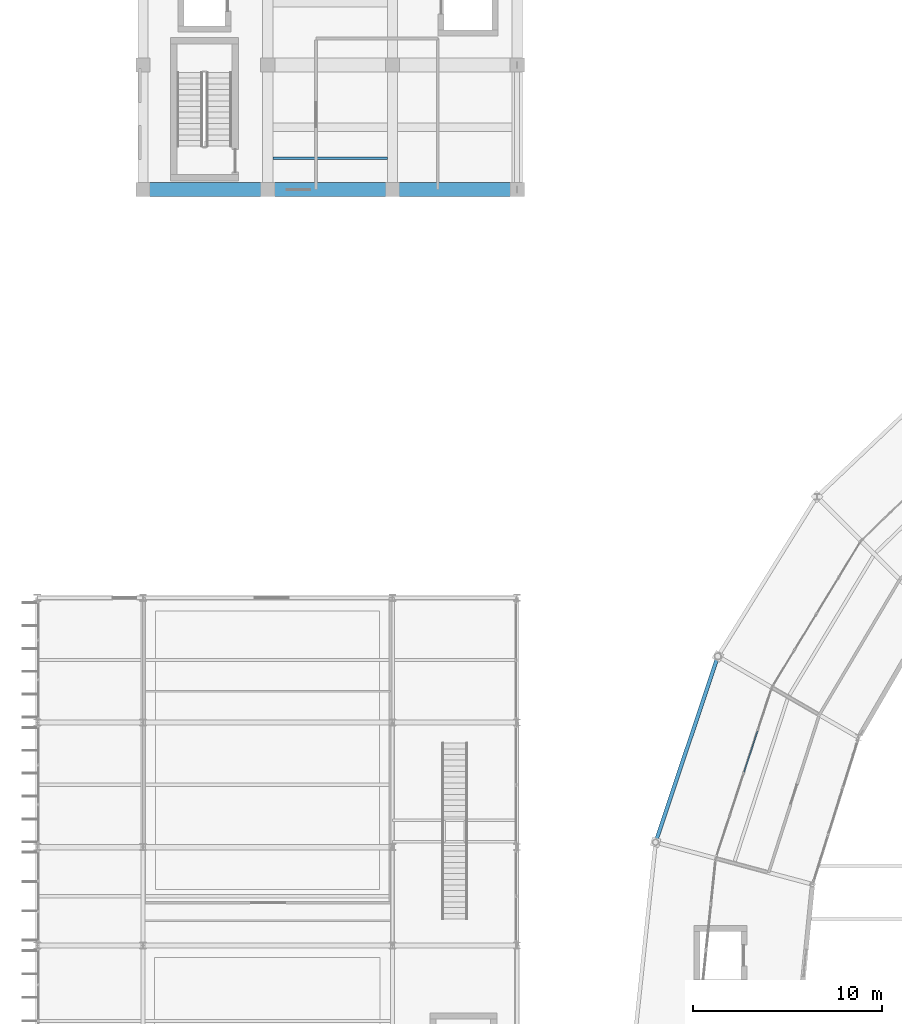
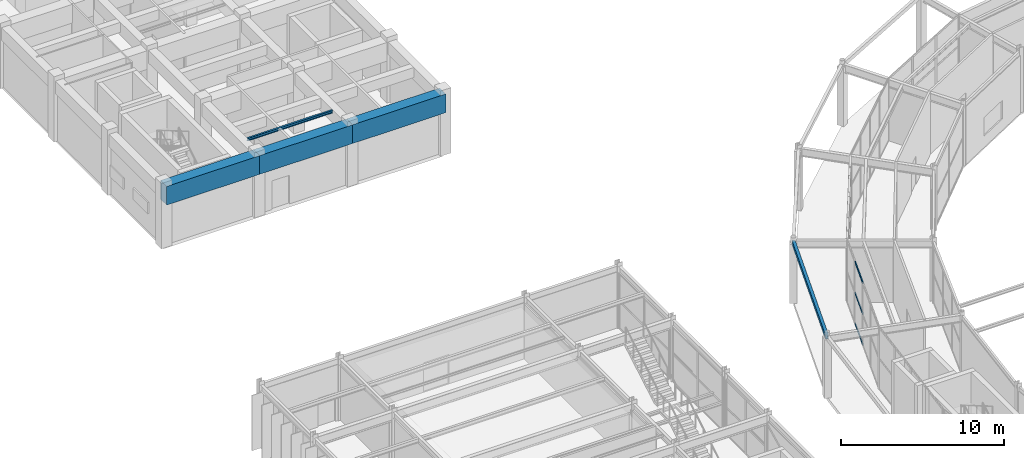
# One storey, part 75 of 144: 5 beams, 3 members, 1 element without a shape of its own.
"""IFC4 building model written with IfcOpenShell, lengths in metres."""

import ifcopenshell
import ifcopenshell.guid

model = None  # the IFC model being written
_history = None  # IfcOwnerHistory: only IFC2X3 demands one
_inside = {}  # id of a spatial element -> (the spatial element, [elements in it])
_under = {}  # id of a project, library or spatial element -> (it, [spatial elements below it])
_declared = {}  # id of a project -> (the project, [libraries it declares])
_typed = {}  # id of a type object -> (the type object, [elements of that type])
_made_of = {}  # id of a material, layer set ... -> (it, [elements and type objects made of it])


def new_model(schema):
    """Start an empty IFC model of exactly this schema.

    Asked for "IFC4X3", IfcOpenShell would pick the latest addendum, in which some entities
    have other attributes; the version numbers below select the first issue.
    IFC2X3 requires an IfcOwnerHistory on every rooted entity: one is made here for all.
    """
    global model, _history
    if schema == "IFC4X3":
        model = ifcopenshell.file(schema_version=(4, 3, 0, 0))
    else:
        model = ifcopenshell.file(schema=schema)
    _inside.clear()
    _under.clear()
    _declared.clear()
    _typed.clear()
    _made_of.clear()
    _history = None
    if model.schema == "IFC2X3":
        org = make("IfcOrganization", Name="unknown")
        user = make(
            "IfcPersonAndOrganization",
            ThePerson=make("IfcPerson", FamilyName="unknown"),
            TheOrganization=org,
        )
        app = make(
            "IfcApplication",
            ApplicationDeveloper=org,
            Version="unknown",
            ApplicationFullName="unknown",
            ApplicationIdentifier="unknown",
        )
        _history = make(
            "IfcOwnerHistory",
            OwningUser=user,
            OwningApplication=app,
            ChangeAction="ADDED",
            CreationDate=0,
        )
    return model


def make(cls, **values):
    """One entity of the class cls with the attributes given. An attribute that is None is left unset."""
    return model.create_entity(
        cls, **{name: value for name, value in values.items() if value is not None}
    )


def rooted(cls, **values):
    """An entity with a GlobalId (a new one), such as an element, a storey or a relation."""
    return make(cls, GlobalId=ifcopenshell.guid.new(), OwnerHistory=_history, **values)


def si_unit(unit_type, name, prefix=None):
    """IfcSIUnit, for example si_unit("LENGTHUNIT", "METRE", prefix="MILLI")."""
    return make("IfcSIUnit", UnitType=unit_type, Prefix=prefix, Name=name)


def assignment(units):
    """IfcUnitAssignment: the units of a project."""
    return None if units is None else make("IfcUnitAssignment", Units=units)


def point(xyz):
    """IfcCartesianPoint."""
    return None if xyz is None else make("IfcCartesianPoint", Coordinates=xyz)


def direction(xyz):
    """IfcDirection."""
    return None if xyz is None else make("IfcDirection", DirectionRatios=xyz)


def frame(location, z_axis=None, x_axis=None):
    """IfcAxis2Placement3D, a coordinate frame: its origin and axes. An axis left out is left unset."""
    return make(
        "IfcAxis2Placement3D",
        Location=point(location),
        Axis=direction(z_axis),
        RefDirection=direction(x_axis),
    )


def frame_2d(location, x_axis=None):
    """IfcAxis2Placement2D, a coordinate frame in the plane: its origin and x axis."""
    return make(
        "IfcAxis2Placement2D", Location=point(location), RefDirection=direction(x_axis)
    )


def origin():
    """The frame at (0, 0, 0) with its axes left unset."""
    return frame((0.0, 0.0, 0.0))


def origin_2d():
    """The frame at (0, 0) in the plane with its x axis left unset."""
    return frame_2d((0.0, 0.0))


def place(relative_to, where):
    """IfcLocalPlacement: puts the frame where relative to a parent placement (None: the world)."""
    return make(
        "IfcLocalPlacement", PlacementRelTo=relative_to, RelativePlacement=where
    )


def context(
    kind, dimensions, precision=None, world=None, true_north=None, identifier=None
):
    """IfcGeometricRepresentationContext, for example the 3D "Model" context."""
    return make(
        "IfcGeometricRepresentationContext",
        ContextIdentifier=identifier,
        ContextType=kind,
        CoordinateSpaceDimension=dimensions,
        Precision=precision,
        WorldCoordinateSystem=world,
        TrueNorth=true_north,
    )


def subcontext(parent, identifier, kind, view, scale=None):
    """IfcGeometricRepresentationSubContext, for example "Body" below "Model"."""
    return make(
        "IfcGeometricRepresentationSubContext",
        ContextIdentifier=identifier,
        ContextType=kind,
        ParentContext=parent,
        TargetScale=scale,
        TargetView=view,
    )


def project(units=None, contexts=None):
    """IfcProject with its units and contexts."""
    return rooted(
        "IfcProject",
        Name="project",
        RepresentationContexts=contexts,
        UnitsInContext=assignment(units),
    )


def spatial(cls, under=None, at=None, **own):
    """A site, building, storey or space (cls), placed at a placement, below another one or the project."""
    s = rooted(cls, ObjectPlacement=at, **own)
    if under is not None:
        _under.setdefault(under.id(), (under, []))[1].append(s)
    return s


def profile(cls, at=None, kind="AREA", **sizes):
    """A parametric profile (cls). Its sizes go by their IFC names, for example OverallWidth=200.0."""
    return make(cls, ProfileType=kind, Position=at, **sizes)


def rectangle(**sizes):
    """IfcRectangleProfileDef."""
    return profile("IfcRectangleProfileDef", **sizes)


def hollow_rectangle(**sizes):
    """IfcRectangleHollowProfileDef."""
    return profile("IfcRectangleHollowProfileDef", **sizes)


def i_section(**sizes):
    """IfcIShapeProfileDef."""
    return profile("IfcIShapeProfileDef", **sizes)


def extrude(swept, where, along, depth):
    """IfcExtrudedAreaSolid: the profile swept, set in the frame where, extruded along a direction by depth."""
    return make(
        "IfcExtrudedAreaSolid",
        SweptArea=swept,
        Position=where,
        ExtrudedDirection=direction(along),
        Depth=depth,
    )


def shape(context_of_items, identifier, shape_type, items):
    """IfcShapeRepresentation: the items that make up one representation, for example the "Body"."""
    return make(
        "IfcShapeRepresentation",
        ContextOfItems=context_of_items,
        RepresentationIdentifier=identifier,
        RepresentationType=shape_type,
        Items=items,
    )


def material(Name=None, Category=None):
    """IfcMaterial."""
    return make("IfcMaterial", Name=Name, Category=Category)


def material_profile(
    of_material, cross_section, Name=None, Category=None, Priority=None
):
    """IfcMaterialProfile: a cross section and its material."""
    return make(
        "IfcMaterialProfile",
        Name=Name,
        Material=of_material,
        Profile=cross_section,
        Priority=Priority,
        Category=Category,
    )


def profile_set(profiles, Name=None, composite=None):
    """IfcMaterialProfileSet."""
    return make(
        "IfcMaterialProfileSet",
        Name=Name,
        MaterialProfiles=profiles,
        CompositeProfile=composite,
    )


def made_of(thing, what):
    """Note that an element or type object is made of a material, layer set ...; save() writes the relation."""
    if what is not None:
        _made_of.setdefault(what.id(), (what, []))[1].append(thing)
    return thing


def type_object(cls, material=None, **own):
    """A type object (cls), such as IfcWallType, which elements share."""
    return made_of(rooted(cls, **own), material)


def element(
    cls,
    number,
    at=None,
    inside=None,
    cuts=None,
    type_object=None,
    material=None,
    context=None,
    identifier="Body",
    shape_type=None,
    held_by="IfcProductDefinitionShape",
    body=None,
    shapes=None,
    **own,
):
    """One element of the class cls, such as IfcWall. Its Tag is "e" and its number.

    at: its placement. inside: the storey or other place that contains it. cuts: it is an
    opening in that element (IfcRelVoidsElement). A single representation is given by context,
    identifier, shape_type and body (its items); several are given by shapes. held_by: the class
    of the entity that holds the representations. save() writes the other relations.
    """
    e = rooted(cls, Tag="e%d" % number, ObjectPlacement=at, **own)
    if body is not None:
        shapes = [shape(context, identifier, shape_type, body)]
    if shapes is not None:
        e.Representation = make(held_by, Representations=shapes)
    if inside is not None:
        _inside.setdefault(inside.id(), (inside, []))[1].append(e)
    if cuts is not None:
        rooted(
            "IfcRelVoidsElement", RelatingBuildingElement=cuts, RelatedOpeningElement=e
        )
    if type_object is not None:
        _typed.setdefault(type_object.id(), (type_object, []))[1].append(e)
    return made_of(e, material)


def aggregate(whole, parts):
    """IfcRelAggregates: a whole, such as a stair, and the parts it consists of."""
    return rooted("IfcRelAggregates", RelatingObject=whole, RelatedObjects=parts)


def save(model, path):
    """Write the relations noted so far, then the file.

    IfcRelAggregates (storeys below a building ...), IfcRelContainedInSpatialStructure (elements
    in a storey), IfcRelDefinesByType, IfcRelAssociatesMaterial and IfcRelDeclares: one each for
    every whole, place, type object, material and project.
    """
    for whole, parts in _under.values():
        aggregate(whole, parts)
    for where, things in _inside.values():
        rooted(
            "IfcRelContainedInSpatialStructure",
            RelatedElements=things,
            RelatingStructure=where,
        )
    for kind, things in _typed.values():
        rooted("IfcRelDefinesByType", RelatedObjects=things, RelatingType=kind)
    for what, things in _made_of.values():
        rooted("IfcRelAssociatesMaterial", RelatedObjects=things, RelatingMaterial=what)
    for by, libraries in _declared.values():
        rooted("IfcRelDeclares", RelatingContext=by, RelatedDefinitions=libraries)
    model.write(path)


model = new_model("IFC4")

# Units and contexts
model_context = context("Model", 3, precision=1e-05, world=origin(), true_north=direction((0.0, 1.0)))
body_context = subcontext(model_context, "Body", "Model", "MODEL_VIEW")
ifc_project = project(units=[si_unit("LENGTHUNIT", "METRE"), si_unit("AREAUNIT", "SQUARE_METRE"), si_unit("VOLUMEUNIT", "CUBIC_METRE"), si_unit("PLANEANGLEUNIT", "RADIAN"), si_unit("MASSUNIT", "GRAM", prefix="KILO")], contexts=[model_context])

# Site, building, storey
site_placement = place(None, origin())
site = spatial("IfcSite", under=ifc_project, at=site_placement, CompositionType="ELEMENT")
building_placement = place(site_placement, origin())
building = spatial("IfcBuilding", under=site, at=building_placement, Name="Karori Crest Natural Sciences Institute", CompositionType="ELEMENT")
storey_placement = place(building_placement, origin())
storey = spatial("IfcBuildingStorey", under=building, at=storey_placement, Name="L00", CompositionType="ELEMENT", Elevation=0.0)

# Beams
ifc_material_1 = material(Name="Hollow structural steel AS/NZS 1163 Grade C350", Category="steel")
ifc_material_profile_1 = material_profile(ifc_material_1, hollow_rectangle(XDim=0.199951171875, YDim=0.300048828125, WallThickness=0.010009765625, at=origin_2d()), Name="RHS300x200x10")
ifc_profile_set_1 = profile_set([ifc_material_profile_1], Name="Hollow structural steel AS/NZS 1163 Grade C350")
beam_type_1 = type_object("IfcBeamType", Name="BT-15", PredefinedType="SPANDREL", material=ifc_profile_set_1)
beam_1_placement = place(storey_placement, frame((37.8212890625, 70.300048828125, 4.489990234375), z_axis=(-0.317681238028, -0.948197569605, 0.0), x_axis=(0.948197569605, -0.317681238028, 0.0)))
element("IfcBeam", 1, at=beam_1_placement, inside=storey, type_object=beam_type_1, Name="Beam B-0129", PredefinedType="SPANDREL", context=body_context, shape_type="SweptSolid", body=[
    extrude(hollow_rectangle(XDim=0.199951171875, YDim=0.300048828125, WallThickness=0.010009765625, at=origin_2d()), origin(), (0.0, 0.0, 1.0), 10.3779296875),
])
ifc_material_2 = material(Name="Concrete 50 MPa", Category="concrete")
ifc_material_profile_2 = material_profile(ifc_material_2, rectangle(XDim=0.75, YDim=1.39990234375, at=origin_2d()), Name="RCB750x1400")
ifc_profile_set_2 = profile_set([ifc_material_profile_2], Name="Concrete 50 MPa")
beam_type_2 = type_object("IfcBeamType", Name="BT-17", PredefinedType="BEAM", material=ifc_profile_set_2)
for number, where, z_axis, x_axis, name in (
    (2, (7.39990234375, 95.0, 3.85009765625), (1.0, 0.0, 0.0), (0.0, 1.0, 0.0), "Beam B-1347"),
    (3, (14.0, 95.0, 3.85009765625), (1.0, 0.0, 0.0), (0.0, 1.0, 0.0), "Beam B-1348"),
):
    element("IfcBeam", number, at=place(storey_placement, frame(where, z_axis=z_axis, x_axis=x_axis)), inside=storey, type_object=beam_type_2, Name=name, PredefinedType="BEAM", context=body_context, shape_type="SweptSolid", body=[
        extrude(rectangle(XDim=0.75, YDim=1.39990234375, at=origin_2d()), origin(), (0.0, 0.0, 1.0), 6.60009765625),
    ])
beam_2_placement = place(storey_placement, frame((20.60009765625, 95.0, 3.85009765625), z_axis=(1.0, 0.0, 0.0), x_axis=(0.0, 1.0, 0.0)))
element("IfcBeam", 4, at=beam_2_placement, inside=storey, type_object=beam_type_2, Name="Beam B-1349", PredefinedType="BEAM", context=body_context, shape_type="SweptSolid", body=[
    extrude(rectangle(XDim=0.75, YDim=1.39990234375, at=origin_2d()), origin(), (0.0, 0.0, 1.0), 6.599853515625),
])
ifc_material_3 = material(Name="Structural steel AS/NZS 3679.1 Grade 350", Category="steel")
ifc_material_profile_3 = material_profile(ifc_material_3, i_section(OverallWidth=0.133056640625, OverallDepth=0.202880859375, WebThickness=0.005859375, FlangeThickness=0.0078125, FilletRadius=0.009033203125, at=origin_2d()), Name="200UB25.4")
ifc_profile_set_3 = profile_set([ifc_material_profile_3], Name="Structural steel AS/NZS 3679.1 Grade 350")
beam_type_3 = type_object("IfcBeamType", Name="BT-23", PredefinedType="LINTEL", material=ifc_profile_set_3)
beam_3_placement = place(storey_placement, frame((14.27490234375, 96.64990234375, 4.448486328125), z_axis=(1.0, 0.0, 0.0), x_axis=(0.0, 1.0, 0.0)))
element("IfcBeam", 5, at=beam_3_placement, inside=storey, type_object=beam_type_3, Name="Beam B-1426", PredefinedType="LINTEL", context=body_context, shape_type="SweptSolid", body=[
    extrude(i_section(OverallWidth=0.133056640625, OverallDepth=0.202880859375, WebThickness=0.005859375, FlangeThickness=0.0078125, FilletRadius=0.009033203125, at=origin_2d()), origin(), (0.0, 0.0, 1.0), 6.050048828125),
])

# Curtain wall, members
ifc_material_4 = material(Name="Anodised architectural aluminium 6063-T6", Category="aluminium")
curtain_wall_type = type_object("IfcCurtainWallType", Name="CWT-01", PredefinedType="NOTDEFINED", material=ifc_material_4)
curtain_wall_placement = place(storey_placement, origin())
curtain_wall = element("IfcCurtainWall", 6, at=curtain_wall_placement, inside=storey, type_object=curtain_wall_type, Name="Curtain wall CW-0013", PredefinedType="NOTDEFINED")
ifc_material_profile_4 = material_profile(ifc_material_4, hollow_rectangle(XDim=0.06494140625, YDim=0.14990234375, WallThickness=0.00390625, at=origin_2d()), Name="CWT150x65x4")
ifc_profile_set_4 = profile_set([ifc_material_profile_4], Name="Anodised architectural aluminium 6063-T6")
member_type = type_object("IfcMemberType", Name="CWT-TR2", PredefinedType="USERDEFINED", material=ifc_profile_set_4)
member_1_placement = place(storey_placement, frame((39.207275390625, 64.16357421875, 0.032470703125), z_axis=(0.311659343997, 0.950193903001, 0.0), x_axis=(-0.950193903001, 0.311659343997, 0.0)))
member_1 = element("IfcMember", 7, at=member_1_placement, type_object=member_type, Name="CW-0013 transom 3.1", ObjectType="TRANSOM", PredefinedType="USERDEFINED", context=body_context, shape_type="SweptSolid", body=[
    extrude(hollow_rectangle(XDim=0.06494140625, YDim=0.14990234375, WallThickness=0.00390625, at=origin_2d()), origin(), (0.0, 0.0, 1.0), 2.29443359375),
])
member_2_placement = place(storey_placement, frame((39.207275390625, 64.16357421875, 2.340087890625), z_axis=(0.311659343997, 0.950193903001, 0.0), x_axis=(-0.950193903001, 0.311659343997, 0.0)))
member_2 = element("IfcMember", 8, at=member_2_placement, type_object=member_type, Name="CW-0013 transom 3.2", ObjectType="TRANSOM", PredefinedType="USERDEFINED", context=body_context, shape_type="SweptSolid", body=[
    extrude(hollow_rectangle(XDim=0.06494140625, YDim=0.14990234375, WallThickness=0.00390625, at=origin_2d()), origin(), (0.0, 0.0, 1.0), 2.29443359375),
])
member_3_placement = place(storey_placement, frame((39.207275390625, 64.16357421875, 4.6474609375), z_axis=(0.311659343997, 0.950193903001, 0.0), x_axis=(-0.950193903001, 0.311659343997, 0.0)))
member_3 = element("IfcMember", 9, at=member_3_placement, type_object=member_type, Name="CW-0013 transom 3.3", ObjectType="TRANSOM", PredefinedType="USERDEFINED", context=body_context, shape_type="SweptSolid", body=[
    extrude(hollow_rectangle(XDim=0.06494140625, YDim=0.14990234375, WallThickness=0.00390625, at=origin_2d()), origin(), (0.0, 0.0, 1.0), 2.29443359375),
])
aggregate(curtain_wall, [member_1, member_2, member_3])

save(model, "model.ifc")
